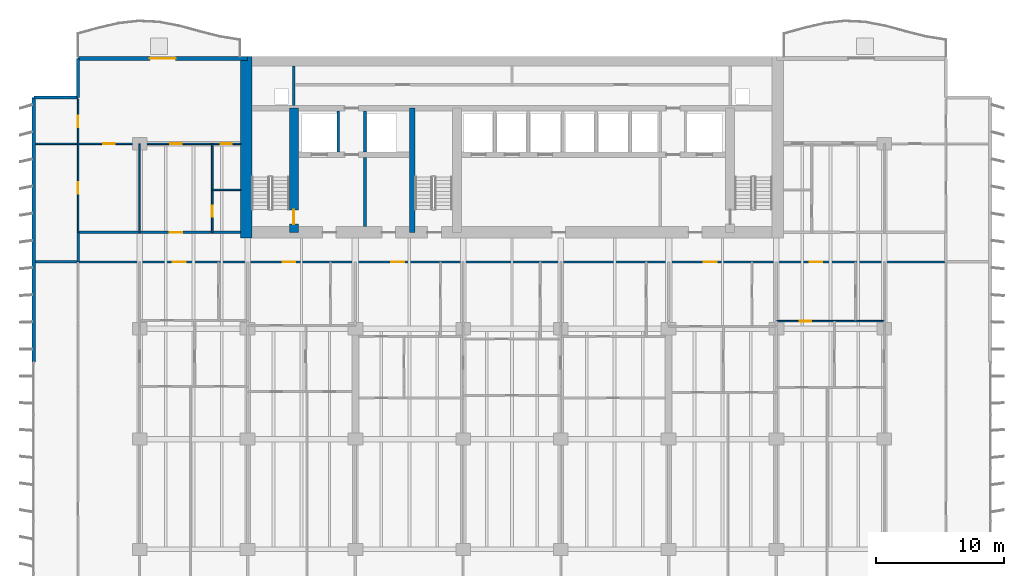
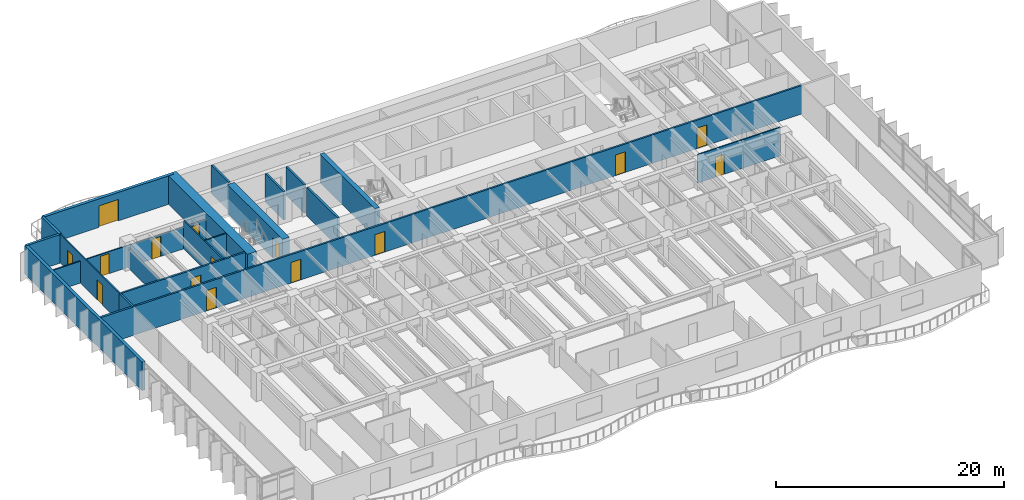
# One storey, part 10 of 17: 21 walls, 15 doors, 15 openings.
"""IFC4 building model written with IfcOpenShell, lengths in metres."""

import ifcopenshell
import ifcopenshell.guid

model = None  # the IFC model being written
_history = None  # IfcOwnerHistory: only IFC2X3 demands one
_inside = {}  # id of a spatial element -> (the spatial element, [elements in it])
_under = {}  # id of a project, library or spatial element -> (it, [spatial elements below it])
_declared = {}  # id of a project -> (the project, [libraries it declares])
_typed = {}  # id of a type object -> (the type object, [elements of that type])
_made_of = {}  # id of a material, layer set ... -> (it, [elements and type objects made of it])


def new_model(schema):
    """Start an empty IFC model of exactly this schema.

    Asked for "IFC4X3", IfcOpenShell would pick the latest addendum, in which some entities
    have other attributes; the version numbers below select the first issue.
    IFC2X3 requires an IfcOwnerHistory on every rooted entity: one is made here for all.
    """
    global model, _history
    if schema == "IFC4X3":
        model = ifcopenshell.file(schema_version=(4, 3, 0, 0))
    else:
        model = ifcopenshell.file(schema=schema)
    _inside.clear()
    _under.clear()
    _declared.clear()
    _typed.clear()
    _made_of.clear()
    _history = None
    if model.schema == "IFC2X3":
        org = make("IfcOrganization", Name="unknown")
        user = make(
            "IfcPersonAndOrganization",
            ThePerson=make("IfcPerson", FamilyName="unknown"),
            TheOrganization=org,
        )
        app = make(
            "IfcApplication",
            ApplicationDeveloper=org,
            Version="unknown",
            ApplicationFullName="unknown",
            ApplicationIdentifier="unknown",
        )
        _history = make(
            "IfcOwnerHistory",
            OwningUser=user,
            OwningApplication=app,
            ChangeAction="ADDED",
            CreationDate=0,
        )
    return model


def make(cls, **values):
    """One entity of the class cls with the attributes given. An attribute that is None is left unset."""
    return model.create_entity(
        cls, **{name: value for name, value in values.items() if value is not None}
    )


def rooted(cls, **values):
    """An entity with a GlobalId (a new one), such as an element, a storey or a relation."""
    return make(cls, GlobalId=ifcopenshell.guid.new(), OwnerHistory=_history, **values)


def si_unit(unit_type, name, prefix=None):
    """IfcSIUnit, for example si_unit("LENGTHUNIT", "METRE", prefix="MILLI")."""
    return make("IfcSIUnit", UnitType=unit_type, Prefix=prefix, Name=name)


def assignment(units):
    """IfcUnitAssignment: the units of a project."""
    return None if units is None else make("IfcUnitAssignment", Units=units)


def point(xyz):
    """IfcCartesianPoint."""
    return None if xyz is None else make("IfcCartesianPoint", Coordinates=xyz)


def direction(xyz):
    """IfcDirection."""
    return None if xyz is None else make("IfcDirection", DirectionRatios=xyz)


def frame(location, z_axis=None, x_axis=None):
    """IfcAxis2Placement3D, a coordinate frame: its origin and axes. An axis left out is left unset."""
    return make(
        "IfcAxis2Placement3D",
        Location=point(location),
        Axis=direction(z_axis),
        RefDirection=direction(x_axis),
    )


def frame_2d(location, x_axis=None):
    """IfcAxis2Placement2D, a coordinate frame in the plane: its origin and x axis."""
    return make(
        "IfcAxis2Placement2D", Location=point(location), RefDirection=direction(x_axis)
    )


def origin():
    """The frame at (0, 0, 0) with its axes left unset."""
    return frame((0.0, 0.0, 0.0))


def place(relative_to, where):
    """IfcLocalPlacement: puts the frame where relative to a parent placement (None: the world)."""
    return make(
        "IfcLocalPlacement", PlacementRelTo=relative_to, RelativePlacement=where
    )


def context(
    kind, dimensions, precision=None, world=None, true_north=None, identifier=None
):
    """IfcGeometricRepresentationContext, for example the 3D "Model" context."""
    return make(
        "IfcGeometricRepresentationContext",
        ContextIdentifier=identifier,
        ContextType=kind,
        CoordinateSpaceDimension=dimensions,
        Precision=precision,
        WorldCoordinateSystem=world,
        TrueNorth=true_north,
    )


def subcontext(parent, identifier, kind, view, scale=None):
    """IfcGeometricRepresentationSubContext, for example "Body" below "Model"."""
    return make(
        "IfcGeometricRepresentationSubContext",
        ContextIdentifier=identifier,
        ContextType=kind,
        ParentContext=parent,
        TargetScale=scale,
        TargetView=view,
    )


def project(units=None, contexts=None):
    """IfcProject with its units and contexts."""
    return rooted(
        "IfcProject",
        Name="project",
        RepresentationContexts=contexts,
        UnitsInContext=assignment(units),
    )


def spatial(cls, under=None, at=None, **own):
    """A site, building, storey or space (cls), placed at a placement, below another one or the project."""
    s = rooted(cls, ObjectPlacement=at, **own)
    if under is not None:
        _under.setdefault(under.id(), (under, []))[1].append(s)
    return s


def profile(cls, at=None, kind="AREA", **sizes):
    """A parametric profile (cls). Its sizes go by their IFC names, for example OverallWidth=200.0."""
    return make(cls, ProfileType=kind, Position=at, **sizes)


def rectangle(**sizes):
    """IfcRectangleProfileDef."""
    return profile("IfcRectangleProfileDef", **sizes)


def extrude(swept, where, along, depth):
    """IfcExtrudedAreaSolid: the profile swept, set in the frame where, extruded along a direction by depth."""
    return make(
        "IfcExtrudedAreaSolid",
        SweptArea=swept,
        Position=where,
        ExtrudedDirection=direction(along),
        Depth=depth,
    )


def shape(context_of_items, identifier, shape_type, items):
    """IfcShapeRepresentation: the items that make up one representation, for example the "Body"."""
    return make(
        "IfcShapeRepresentation",
        ContextOfItems=context_of_items,
        RepresentationIdentifier=identifier,
        RepresentationType=shape_type,
        Items=items,
    )


def material(Name=None, Category=None):
    """IfcMaterial."""
    return make("IfcMaterial", Name=Name, Category=Category)


def layer(
    of_material, thickness, ventilated=None, Name=None, Category=None, Priority=None
):
    """IfcMaterialLayer: one layer of a wall or slab, of a material (None: an air gap)."""
    return make(
        "IfcMaterialLayer",
        Material=of_material,
        LayerThickness=thickness,
        IsVentilated=ventilated,
        Name=Name,
        Category=Category,
        Priority=Priority,
    )


def layer_set(layers, Name=None):
    """IfcMaterialLayerSet."""
    return make("IfcMaterialLayerSet", MaterialLayers=layers, LayerSetName=Name)


def made_of(thing, what):
    """Note that an element or type object is made of a material, layer set ...; save() writes the relation."""
    if what is not None:
        _made_of.setdefault(what.id(), (what, []))[1].append(thing)
    return thing


def type_object(cls, material=None, **own):
    """A type object (cls), such as IfcWallType, which elements share."""
    return made_of(rooted(cls, **own), material)


def element(
    cls,
    number,
    at=None,
    inside=None,
    cuts=None,
    type_object=None,
    material=None,
    context=None,
    identifier="Body",
    shape_type=None,
    held_by="IfcProductDefinitionShape",
    body=None,
    shapes=None,
    **own,
):
    """One element of the class cls, such as IfcWall. Its Tag is "e" and its number.

    at: its placement. inside: the storey or other place that contains it. cuts: it is an
    opening in that element (IfcRelVoidsElement). A single representation is given by context,
    identifier, shape_type and body (its items); several are given by shapes. held_by: the class
    of the entity that holds the representations. save() writes the other relations.
    """
    e = rooted(cls, Tag="e%d" % number, ObjectPlacement=at, **own)
    if body is not None:
        shapes = [shape(context, identifier, shape_type, body)]
    if shapes is not None:
        e.Representation = make(held_by, Representations=shapes)
    if inside is not None:
        _inside.setdefault(inside.id(), (inside, []))[1].append(e)
    if cuts is not None:
        rooted(
            "IfcRelVoidsElement", RelatingBuildingElement=cuts, RelatedOpeningElement=e
        )
    if type_object is not None:
        _typed.setdefault(type_object.id(), (type_object, []))[1].append(e)
    return made_of(e, material)


def fill(opening, filler):
    """IfcRelFillsElement: the door or window that sits in an opening."""
    return rooted(
        "IfcRelFillsElement",
        RelatingOpeningElement=opening,
        RelatedBuildingElement=filler,
    )


def aggregate(whole, parts):
    """IfcRelAggregates: a whole, such as a stair, and the parts it consists of."""
    return rooted("IfcRelAggregates", RelatingObject=whole, RelatedObjects=parts)


def save(model, path):
    """Write the relations noted so far, then the file.

    IfcRelAggregates (storeys below a building ...), IfcRelContainedInSpatialStructure (elements
    in a storey), IfcRelDefinesByType, IfcRelAssociatesMaterial and IfcRelDeclares: one each for
    every whole, place, type object, material and project.
    """
    for whole, parts in _under.values():
        aggregate(whole, parts)
    for where, things in _inside.values():
        rooted(
            "IfcRelContainedInSpatialStructure",
            RelatedElements=things,
            RelatingStructure=where,
        )
    for kind, things in _typed.values():
        rooted("IfcRelDefinesByType", RelatedObjects=things, RelatingType=kind)
    for what, things in _made_of.values():
        rooted("IfcRelAssociatesMaterial", RelatedObjects=things, RelatingMaterial=what)
    for by, libraries in _declared.values():
        rooted("IfcRelDeclares", RelatingContext=by, RelatedDefinitions=libraries)
    model.write(path)


model = new_model("IFC4")

# Units and contexts
model_context = context("Model", 3, precision=1e-05, world=origin(), true_north=direction((0.0, 1.0)))
body_context = subcontext(model_context, "Body", "Model", "MODEL_VIEW")
ifc_project = project(units=[si_unit("LENGTHUNIT", "METRE"), si_unit("AREAUNIT", "SQUARE_METRE"), si_unit("VOLUMEUNIT", "CUBIC_METRE"), si_unit("PLANEANGLEUNIT", "RADIAN"), si_unit("MASSUNIT", "GRAM", prefix="KILO")], contexts=[model_context])

# Site, building, storey
site_placement = place(None, origin())
site = spatial("IfcSite", under=ifc_project, at=site_placement, CompositionType="ELEMENT")
building_placement = place(site_placement, origin())
building = spatial("IfcBuilding", under=site, at=building_placement, Name="Caelmar Bay Residences", CompositionType="ELEMENT")
storey_placement = place(building_placement, frame((0.0, 0.0, 53.10009765625)))
storey = spatial("IfcBuildingStorey", under=building, at=storey_placement, Name="L13", CompositionType="ELEMENT", Elevation=53.10009765625)

# Wall, opening, door
ifc_material_1 = material(Name="Concrete f'c 55 MPa (8,000 psi)", Category="concrete")
ifc_layer_1 = layer(ifc_material_1, 0.699951171875)
ifc_layer_set_1 = layer_set([ifc_layer_1], Name="Concrete f'c 55 MPa (8,000 psi)")
wall_type_1 = type_object("IfcWallType", Name="SW-COR-700", PredefinedType="SHEAR", material=ifc_layer_set_1)
wall_1_placement = place(storey_placement, frame((21.89990234375, 36.89990234375, 0.0), z_axis=(0.0, 0.0, 1.0), x_axis=(0.0, 1.0, 0.0)))
wall_1 = element("IfcWall", 1, at=wall_1_placement, inside=storey, type_object=wall_type_1, Name="L13 Core Structural Web Wall ST1E", PredefinedType="SHEAR", context=body_context, shape_type="SweptSolid", body=[
    extrude(rectangle(XDim=9.675048828125, YDim=0.699951171875, at=frame_2d((4.83740234375, 0.0))), origin(), (0.0, 0.0, 1.0), 3.0498046875),
])
opening_1_placement = place(wall_1_placement, frame((0.64990234375, 0.0, 0.0)))
opening_1 = element("IfcOpeningElement", 2, at=opening_1_placement, cuts=wall_1, Name="Opening D-L13-108", PredefinedType="OPENING", context=body_context, shape_type="SweptSolid", body=[
    extrude(rectangle(XDim=1.10009765625, YDim=2.14990234375, at=frame_2d((0.550048828125, 1.074951171875))), frame((0.0, 0.35986328125, 0.0), z_axis=(0.0, -1.0, 0.0), x_axis=(1.0, 0.0, 0.0)), (0.0, 0.0, 1.0), 0.719970703125),
])
ifc_material_2 = material(Name="Fire-rated steel and walnut architectural door assembly", Category="steel")
ifc_layer_2 = layer(ifc_material_2, 0.050048828125)
ifc_layer_set_2 = layer_set([ifc_layer_2], Name="Fire-rated steel and walnut architectural door assembly")
door_type_1 = type_object("IfcDoorType", Name="D-STAIR-1100", OperationType="NOTDEFINED", PredefinedType="DOOR", material=ifc_layer_set_2)
door_1_placement = place(opening_1_placement, origin())
door_1 = element("IfcDoor", 3, at=door_1_placement, inside=storey, type_object=door_type_1, Name="L13 Firefighting Lobby West Door", OperationType="SINGLE_SWING_LEFT", OverallHeight=2.14990234375, OverallWidth=1.10009765625, PredefinedType="DOOR", context=body_context, shape_type="SweptSolid", body=[
    extrude(rectangle(XDim=1.10009765625, YDim=2.14990234375, at=frame_2d((0.550048828125, 1.074951171875))), frame((0.0, 0.02490234375, 0.0), z_axis=(0.0, -1.0, 0.0), x_axis=(1.0, 0.0, 0.0)), (0.0, 0.0, 1.0), 0.050048828125),
])
fill(opening_1, door_1)

# Walls
ifc_material_3 = material(Name="Concrete f'c 70 MPa (10,000 psi)", Category="concrete")
ifc_layer_3 = layer(ifc_material_3, 0.89990234375)
ifc_layer_set_3 = layer_set([ifc_layer_3], Name="Concrete f'c 70 MPa (10,000 psi)")
wall_type_2 = type_object("IfcWallType", Name="SW-COR-900", PredefinedType="SHEAR", material=ifc_layer_set_3)
wall_2_placement = place(storey_placement, frame((18.199951171875, 36.449951171875, 0.0), z_axis=(0.0, 0.0, 1.0), x_axis=(0.0, 1.0, 0.0)))
element("IfcWall", 4, at=wall_2_placement, inside=storey, type_object=wall_type_2, Name="L13 Rear Core West Shear Wall", PredefinedType="SHEAR", context=body_context, shape_type="SweptSolid", body=[
    extrude(rectangle(XDim=14.150146484375, YDim=0.89990234375, at=frame_2d((7.0751953125, 0.0))), origin(), (0.0, 0.0, 1.0), 3.0498046875),
])
ifc_layer_4 = layer(ifc_material_3, 0.449951171875)
ifc_layer_set_4 = layer_set([ifc_layer_4], Name="Concrete f'c 70 MPa (10,000 psi)")
wall_type_3 = type_object("IfcWallType", Name="SW-WEB-450", PredefinedType="SHEAR", material=ifc_layer_set_4)
wall_3_placement = place(storey_placement, frame((31.125, 36.89990234375, 0.0), z_axis=(0.0, 0.0, 1.0), x_axis=(0.0, 1.0, 0.0)))
element("IfcWall", 5, at=wall_3_placement, inside=storey, type_object=wall_type_3, Name="L13 Core Structural Web Wall ST3W", PredefinedType="SHEAR", context=body_context, shape_type="SweptSolid", body=[
    extrude(rectangle(XDim=9.675048828125, YDim=0.449951171875, at=frame_2d((4.83740234375, 0.0))), origin(), (0.0, 0.0, 1.0), 3.0498046875),
])
ifc_material_4 = material(Name="Double-stud acoustic fire-rated gypsum partition 180 mm")
ifc_layer_5 = layer(ifc_material_4, 0.179931640625)
ifc_layer_set_5 = layer_set([ifc_layer_5], Name="Double-stud acoustic fire-rated gypsum partition 180 mm")
wall_type_4 = type_object("IfcWallType", Name="W-COR-200", PredefinedType="PARTITIONING", material=ifc_layer_set_5)
wall_4_placement = place(storey_placement, frame((5.10009765625, 34.60498046875, 0.0), z_axis=(0.0, 0.0, 1.0), x_axis=(0.0, 1.0, 0.0)))
element("IfcWall", 6, at=wall_4_placement, inside=storey, type_object=wall_type_4, Name="L13 Partition Wall V006", PredefinedType="PARTITIONING", context=body_context, shape_type="SweptSolid", body=[
    extrude(rectangle(XDim=2.294921875, YDim=0.179931640625, at=frame_2d((1.1474609375, 0.0))), origin(), (0.0, 0.0, 1.0), 3.0498046875),
])

# Wall, openings, doors
wall_5_placement = place(storey_placement, frame((5.10498046875, 34.60009765625, 0.0), z_axis=(0.0, 0.0, 1.0), x_axis=(1.0, 0.0, 0.0)))
wall_5 = element("IfcWall", 7, at=wall_5_placement, inside=storey, type_object=wall_type_4, Name="L13 Partition Wall H133", PredefinedType="PARTITIONING", context=body_context, shape_type="SweptSolid", body=[
    extrude(rectangle(XDim=67.594970703125, YDim=0.179931640625, at=frame_2d((33.79736328125, 0.0))), origin(), (0.0, 0.0, 1.0), 3.0498046875),
])
opening_2_placement = place(wall_5_placement, frame((7.365478515625, 0.0, 0.0)))
opening_2 = element("IfcOpeningElement", 8, at=opening_2_placement, cuts=wall_5, Name="Opening D-L13-119", PredefinedType="OPENING", context=body_context, shape_type="SweptSolid", body=[
    extrude(rectangle(XDim=1.0, YDim=2.199951171875, at=frame_2d((0.5, 1.10009765625))), frame((0.0, 0.099853515625, 0.0), z_axis=(0.0, -1.0, 0.0), x_axis=(1.0, 0.0, 0.0)), (0.0, 0.0, 1.0), 0.199951171875),
])
opening_3_placement = place(wall_5_placement, frame((15.927490234375, 0.0, 0.0)))
opening_3 = element("IfcOpeningElement", 9, at=opening_3_placement, cuts=wall_5, Name="Opening D-L13-127", PredefinedType="OPENING", context=body_context, shape_type="SweptSolid", body=[
    extrude(rectangle(XDim=1.0, YDim=2.199951171875, at=frame_2d((0.5, 1.10009765625))), frame((0.0, 0.099853515625, 0.0), z_axis=(0.0, -1.0, 0.0), x_axis=(1.0, 0.0, 0.0)), (0.0, 0.0, 1.0), 0.199951171875),
])
opening_4_placement = place(wall_5_placement, frame((24.406982421875, 0.0, 0.0)))
opening_4 = element("IfcOpeningElement", 10, at=opening_4_placement, cuts=wall_5, Name="Opening D-L13-134", PredefinedType="OPENING", context=body_context, shape_type="SweptSolid", body=[
    extrude(rectangle(XDim=1.0, YDim=2.199951171875, at=frame_2d((0.5, 1.10009765625))), frame((0.0, 0.099853515625, 0.0), z_axis=(0.0, -1.0, 0.0), x_axis=(1.0, 0.0, 0.0)), (0.0, 0.0, 1.0), 0.199951171875),
])
opening_5_placement = place(wall_5_placement, frame((48.739013671875, 0.0, 0.0)))
opening_5 = element("IfcOpeningElement", 11, at=opening_5_placement, cuts=wall_5, Name="Opening D-L13-149", PredefinedType="OPENING", context=body_context, shape_type="SweptSolid", body=[
    extrude(rectangle(XDim=1.0, YDim=2.199951171875, at=frame_2d((0.5, 1.10009765625))), frame((0.0, 0.099853515625, 0.0), z_axis=(0.0, -1.0, 0.0), x_axis=(1.0, 0.0, 0.0)), (0.0, 0.0, 1.0), 0.199951171875),
])
opening_6_placement = place(wall_5_placement, frame((56.98046875, 0.0, 0.0)))
opening_6 = element("IfcOpeningElement", 12, at=opening_6_placement, cuts=wall_5, Name="Opening D-L13-156", PredefinedType="OPENING", context=body_context, shape_type="SweptSolid", body=[
    extrude(rectangle(XDim=1.0, YDim=2.199951171875, at=frame_2d((0.5, 1.10009765625))), frame((0.0, 0.099853515625, 0.0), z_axis=(0.0, -1.0, 0.0), x_axis=(1.0, 0.0, 0.0)), (0.0, 0.0, 1.0), 0.199951171875),
])
ifc_layer_6 = layer(ifc_material_2, 0.050048828125)
ifc_layer_set_6 = layer_set([ifc_layer_6], Name="Fire-rated steel and walnut architectural door assembly")
door_type_2 = type_object("IfcDoorType", Name="D-UNIT-1000", OperationType="NOTDEFINED", PredefinedType="DOOR", material=ifc_layer_set_6)
door_2_placement = place(opening_2_placement, origin())
door_2 = element("IfcDoor", 13, at=door_2_placement, inside=storey, type_object=door_type_2, Name="L13 Residence 01 Apartment Hall Door", OperationType="SINGLE_SWING_RIGHT", OverallHeight=2.199951171875, OverallWidth=1.0, PredefinedType="DOOR", context=body_context, shape_type="SweptSolid", body=[
    extrude(rectangle(XDim=1.0, YDim=2.199951171875, at=frame_2d((0.5, 1.10009765625))), frame((0.0, 0.02490234375, 0.0), z_axis=(0.0, -1.0, 0.0), x_axis=(1.0, 0.0, 0.0)), (0.0, 0.0, 1.0), 0.050048828125),
])
fill(opening_2, door_2)
door_3_placement = place(opening_3_placement, origin())
door_3 = element("IfcDoor", 14, at=door_3_placement, inside=storey, type_object=door_type_2, Name="L13 Residence 02 Apartment Hall Door", OperationType="SINGLE_SWING_RIGHT", OverallHeight=2.199951171875, OverallWidth=1.0, PredefinedType="DOOR", context=body_context, shape_type="SweptSolid", body=[
    extrude(rectangle(XDim=1.0, YDim=2.199951171875, at=frame_2d((0.5, 1.10009765625))), frame((0.0, 0.02490234375, 0.0), z_axis=(0.0, -1.0, 0.0), x_axis=(1.0, 0.0, 0.0)), (0.0, 0.0, 1.0), 0.050048828125),
])
fill(opening_3, door_3)
door_4_placement = place(opening_4_placement, origin())
door_4 = element("IfcDoor", 15, at=door_4_placement, inside=storey, type_object=door_type_2, Name="L13 Residence 03 Apartment Hall Door", OperationType="SINGLE_SWING_LEFT", OverallHeight=2.199951171875, OverallWidth=1.0, PredefinedType="DOOR", context=body_context, shape_type="SweptSolid", body=[
    extrude(rectangle(XDim=1.0, YDim=2.199951171875, at=frame_2d((0.5, 1.10009765625))), frame((0.0, 0.02490234375, 0.0), z_axis=(0.0, -1.0, 0.0), x_axis=(1.0, 0.0, 0.0)), (0.0, 0.0, 1.0), 0.050048828125),
])
fill(opening_4, door_4)
door_5_placement = place(opening_5_placement, origin())
door_5 = element("IfcDoor", 16, at=door_5_placement, inside=storey, type_object=door_type_2, Name="L13 Residence 04 Apartment Hall Door", OperationType="SINGLE_SWING_RIGHT", OverallHeight=2.199951171875, OverallWidth=1.0, PredefinedType="DOOR", context=body_context, shape_type="SweptSolid", body=[
    extrude(rectangle(XDim=1.0, YDim=2.199951171875, at=frame_2d((0.5, 1.10009765625))), frame((0.0, 0.02490234375, 0.0), z_axis=(0.0, -1.0, 0.0), x_axis=(1.0, 0.0, 0.0)), (0.0, 0.0, 1.0), 0.050048828125),
])
fill(opening_5, door_5)
door_6_placement = place(opening_6_placement, origin())
door_6 = element("IfcDoor", 17, at=door_6_placement, inside=storey, type_object=door_type_2, Name="L13 Residence 05 Apartment Hall Door", OperationType="SINGLE_SWING_LEFT", OverallHeight=2.199951171875, OverallWidth=1.0, PredefinedType="DOOR", context=body_context, shape_type="SweptSolid", body=[
    extrude(rectangle(XDim=1.0, YDim=2.199951171875, at=frame_2d((0.5, 1.10009765625))), frame((0.0, 0.02490234375, 0.0), z_axis=(0.0, -1.0, 0.0), x_axis=(1.0, 0.0, 0.0)), (0.0, 0.0, 1.0), 0.050048828125),
])
fill(opening_6, door_6)

# Wall, opening, door
wall_6_placement = place(storey_placement, frame((5.10009765625, 36.89990234375, 0.0), z_axis=(0.0, 0.0, 1.0), x_axis=(1.0, 0.0, 0.0)))
wall_6 = element("IfcWall", 18, at=wall_6_placement, inside=storey, type_object=wall_type_4, Name="L13 Partition Wall H135", PredefinedType="PARTITIONING", context=body_context, shape_type="SweptSolid", body=[
    extrude(rectangle(XDim=12.64501953125, YDim=0.179931640625, at=frame_2d((6.322509765625, 0.0))), origin(), (0.0, 0.0, 1.0), 3.0498046875),
])
opening_7_placement = place(wall_6_placement, frame((7.125, 0.0, 0.0)))
opening_7 = element("IfcOpeningElement", 19, at=opening_7_placement, cuts=wall_6, Name="Opening D-L13-167", PredefinedType="OPENING", context=body_context, shape_type="SweptSolid", body=[
    extrude(rectangle(XDim=1.0, YDim=2.199951171875, at=frame_2d((0.5, 1.10009765625))), frame((0.0, 0.099853515625, 0.0), z_axis=(0.0, -1.0, 0.0), x_axis=(1.0, 0.0, 0.0)), (0.0, 0.0, 1.0), 0.199951171875),
])
door_7_placement = place(opening_7_placement, origin())
door_7 = element("IfcDoor", 20, at=door_7_placement, inside=storey, type_object=door_type_2, Name="L13 Residence WA Kitchen Door", OperationType="SINGLE_SWING_RIGHT", OverallHeight=2.199951171875, OverallWidth=1.0, PredefinedType="DOOR", context=body_context, shape_type="SweptSolid", body=[
    extrude(rectangle(XDim=1.0, YDim=2.199951171875, at=frame_2d((0.5, 1.10009765625))), frame((0.0, 0.02490234375, 0.0), z_axis=(0.0, -1.0, 0.0), x_axis=(1.0, 0.0, 0.0)), (0.0, 0.0, 1.0), 0.050048828125),
])
fill(opening_7, door_7)

# Walls
ifc_material_5 = material(Name="Precast concrete f'c 40 MPa (6,000 psi)", Category="concrete")
ifc_layer_7 = layer(ifc_material_5, 0.25)
ifc_layer_set_7 = layer_set([ifc_layer_7], Name="Precast concrete f'c 40 MPa (6,000 psi)")
wall_type_5 = type_object("IfcWallType", Name="W-EXT-250", PredefinedType="ELEMENTEDWALL", material=ifc_layer_set_7)
wall_7_placement = place(storey_placement, frame((1.64990234375, 47.39990234375, 0.0), z_axis=(0.0, 0.0, 1.0), x_axis=(1.0, 0.0, 0.0)))
element("IfcWall", 21, at=wall_7_placement, inside=storey, type_object=wall_type_5, Name="L13 NNW-H Notch Wall", PredefinedType="ELEMENTEDWALL", context=body_context, shape_type="SweptSolid", body=[
    extrude(rectangle(XDim=3.4501953125, YDim=0.25, at=frame_2d((1.72509765625, 0.0))), origin(), (0.0, 0.0, 1.0), 3.0498046875),
])
wall_8_placement = place(storey_placement, frame((5.10009765625, 47.39990234375, 0.0), z_axis=(0.0, 0.0, 1.0), x_axis=(0.0, 1.0, 0.0)))
element("IfcWall", 22, at=wall_8_placement, inside=storey, type_object=wall_type_5, Name="L13 NNW-V Notch Wall", PredefinedType="ELEMENTEDWALL", context=body_context, shape_type="SweptSolid", body=[
    extrude(rectangle(XDim=3.050048828125, YDim=0.25, at=frame_2d((1.52490234375, 0.0))), origin(), (0.0, 0.0, 1.0), 3.0498046875),
])
ifc_layer_8 = layer(ifc_material_5, 0.300048828125)
ifc_layer_set_8 = layer_set([ifc_layer_8], Name="Precast concrete f'c 40 MPa (6,000 psi)")
wall_type_6 = type_object("IfcWallType", Name="W-EXT-300", PredefinedType="STANDARD", material=ifc_layer_set_8)
wall_9_placement = place(storey_placement, frame((1.64990234375, 26.800048828125, 0.0), z_axis=(0.0, 0.0, 1.0), x_axis=(0.0, 1.0, 0.0)))
element("IfcWall", 23, at=wall_9_placement, inside=storey, type_object=wall_type_6, Name="L13 West Rear Exterior Wall", PredefinedType="STANDARD", context=body_context, shape_type="SweptSolid", body=[
    extrude(rectangle(XDim=20.599853515625, YDim=0.300048828125, at=frame_2d((10.2998046875, 0.0))), origin(), (0.0, 0.0, 1.0), 3.0498046875),
])

# Wall, opening, door
wall_10_placement = place(storey_placement, frame((5.10009765625, 50.449951171875, 0.0), z_axis=(0.0, 0.0, 1.0), x_axis=(1.0, 0.0, 0.0)))
wall_10 = element("IfcWall", 24, at=wall_10_placement, inside=storey, type_object=wall_type_6, Name="L13 North-West Wing Exterior Wall", PredefinedType="STANDARD", context=body_context, shape_type="SweptSolid", body=[
    extrude(rectangle(XDim=13.199951171875, YDim=0.300048828125, at=frame_2d((6.60009765625, 0.0))), origin(), (0.0, 0.0, 1.0), 3.0498046875),
])
opening_8_placement = place(wall_10_placement, frame((5.60009765625, 0.0, 0.0)))
opening_8 = element("IfcOpeningElement", 25, at=opening_8_placement, cuts=wall_10, Name="Opening L13-BDNW", PredefinedType="OPENING", context=body_context, shape_type="SweptSolid", body=[
    extrude(rectangle(XDim=2.0, YDim=2.300048828125, at=frame_2d((1.0, 1.14990234375))), frame((0.0, 0.159912109375, 0.0), z_axis=(0.0, -1.0, 0.0), x_axis=(1.0, 0.0, 0.0)), (0.0, 0.0, 1.0), 0.320068359375),
])
ifc_material_6 = material(Name="Anodised bronze thermally broken sliding glass door", Category="glass")
ifc_layer_9 = layer(ifc_material_6, 0.050048828125)
ifc_layer_set_9 = layer_set([ifc_layer_9], Name="Anodised bronze thermally broken sliding glass door")
door_type_3 = type_object("IfcDoorType", Name="D-BAL-2000", OperationType="DOUBLE_DOOR_SLIDING", PredefinedType="DOOR", material=ifc_layer_set_9)
door_8_placement = place(opening_8_placement, origin())
door_8 = element("IfcDoor", 26, at=door_8_placement, inside=storey, type_object=door_type_3, Name="L13 North-West Balcony Door", OperationType="DOUBLE_DOOR_SLIDING", OverallHeight=2.300048828125, OverallWidth=2.0, PredefinedType="DOOR", context=body_context, shape_type="SweptSolid", body=[
    extrude(rectangle(XDim=2.0, YDim=2.300048828125, at=frame_2d((1.0, 1.14990234375))), frame((0.0, 0.02490234375, 0.0), z_axis=(0.0, -1.0, 0.0), x_axis=(1.0, 0.0, 0.0)), (0.0, 0.0, 1.0), 0.050048828125),
])
fill(opening_8, door_8)

# Walls
ifc_material_7 = material(Name="Fire-rated masonry and gypsum shaftliner assembly 200 mm", Category="masonry")
ifc_layer_10 = layer(ifc_material_7, 0.199951171875)
ifc_layer_set_10 = layer_set([ifc_layer_10], Name="Fire-rated masonry and gypsum shaftliner assembly 200 mm")
wall_type_7 = type_object("IfcWallType", Name="W-FSAE-200", PredefinedType="PARTITIONING", material=ifc_layer_set_10)
wall_11_placement = place(storey_placement, frame((21.89990234375, 46.794921875, 0.0), z_axis=(0.0, 0.0, 1.0), x_axis=(0.0, 1.0, 0.0)))
element("IfcWall", 27, at=wall_11_placement, inside=storey, type_object=wall_type_7, Name="L13 Partition Wall V028", PredefinedType="PARTITIONING", context=body_context, shape_type="SweptSolid", body=[
    extrude(rectangle(XDim=3.06005859375, YDim=0.199951171875, at=frame_2d((1.530029296875, 0.0))), origin(), (0.0, 0.0, 1.0), 3.0498046875),
])
wall_12_placement = place(storey_placement, frame((25.35009765625, 43.169921875, 0.0), z_axis=(0.0, 0.0, 1.0), x_axis=(0.0, 1.0, 0.0)))
element("IfcWall", 28, at=wall_12_placement, inside=storey, type_object=wall_type_7, Name="L13 Partition Wall V035", PredefinedType="PARTITIONING", context=body_context, shape_type="SweptSolid", body=[
    extrude(rectangle(XDim=3.18505859375, YDim=0.199951171875, at=frame_2d((1.592529296875, 0.0))), origin(), (0.0, 0.0, 1.0), 3.0498046875),
])
wall_13_placement = place(storey_placement, frame((27.449951171875, 37.344970703125, 0.0), z_axis=(0.0, 0.0, 1.0), x_axis=(0.0, 1.0, 0.0)))
element("IfcWall", 29, at=wall_13_placement, inside=storey, type_object=wall_type_7, Name="L13 Partition Wall V040", PredefinedType="PARTITIONING", context=body_context, shape_type="SweptSolid", body=[
    extrude(rectangle(XDim=5.385009765625, YDim=0.199951171875, at=frame_2d((2.6923828125, 0.0))), origin(), (0.0, 0.0, 1.0), 3.0498046875),
])
wall_14_placement = place(storey_placement, frame((27.449951171875, 43.169921875, 0.0), z_axis=(0.0, 0.0, 1.0), x_axis=(0.0, 1.0, 0.0)))
element("IfcWall", 30, at=wall_14_placement, inside=storey, type_object=wall_type_7, Name="L13 Partition Wall V041", PredefinedType="PARTITIONING", context=body_context, shape_type="SweptSolid", body=[
    extrude(rectangle(XDim=3.18505859375, YDim=0.199951171875, at=frame_2d((1.592529296875, 0.0))), origin(), (0.0, 0.0, 1.0), 3.0498046875),
])

# Wall, openings, doors
ifc_material_8 = material(Name="Acoustic metal-stud gypsum partition 120 mm")
ifc_layer_11 = layer(ifc_material_8, 0.1201171875)
ifc_layer_set_11 = layer_set([ifc_layer_11], Name="Acoustic metal-stud gypsum partition 120 mm")
wall_type_8 = type_object("IfcWallType", Name="W-PRT-120", PredefinedType="PARTITIONING", material=ifc_layer_set_11)
wall_15_placement = place(storey_placement, frame((5.10009765625, 36.905029296875, 0.0), z_axis=(0.0, 0.0, 1.0), x_axis=(0.0, 1.0, 0.0)))
wall_15 = element("IfcWall", 31, at=wall_15_placement, inside=storey, type_object=wall_type_8, Name="L13 Partition Wall V007", PredefinedType="PARTITIONING", context=body_context, shape_type="SweptSolid", body=[
    extrude(rectangle(XDim=10.375, YDim=0.1201171875, at=frame_2d((5.1875, 0.0))), origin(), (0.0, 0.0, 1.0), 3.0498046875),
])
opening_9_placement = place(wall_15_placement, frame((2.99755859375, 0.0, 0.0)))
opening_9 = element("IfcOpeningElement", 32, at=opening_9_placement, cuts=wall_15, Name="Opening D-L13-171", PredefinedType="OPENING", context=body_context, shape_type="SweptSolid", body=[
    extrude(rectangle(XDim=0.89990234375, YDim=2.14990234375, at=frame_2d((0.449951171875, 1.074951171875))), frame((0.0, 0.070068359375, 0.0), z_axis=(0.0, -1.0, 0.0), x_axis=(1.0, 0.0, 0.0)), (0.0, 0.0, 1.0), 0.14013671875),
])
opening_10_placement = place(wall_15_placement, frame((8.18505859375, 0.0, 0.0)))
opening_10 = element("IfcOpeningElement", 33, at=opening_10_placement, cuts=wall_15, Name="Opening D-L13-172", PredefinedType="OPENING", context=body_context, shape_type="SweptSolid", body=[
    extrude(rectangle(XDim=0.89990234375, YDim=2.14990234375, at=frame_2d((0.449951171875, 1.074951171875))), frame((0.0, 0.070068359375, 0.0), z_axis=(0.0, -1.0, 0.0), x_axis=(1.0, 0.0, 0.0)), (0.0, 0.0, 1.0), 0.14013671875),
])
ifc_material_9 = material(Name="Solid walnut timber interior door leaf and frame", Category="wood")
ifc_layer_12 = layer(ifc_material_9, 0.050048828125)
ifc_layer_set_12 = layer_set([ifc_layer_12], Name="Solid walnut timber interior door leaf and frame")
door_type_4 = type_object("IfcDoorType", Name="D-ROOM-900", OperationType="NOTDEFINED", PredefinedType="DOOR", material=ifc_layer_set_12)
door_9_placement = place(opening_9_placement, origin())
door_9 = element("IfcDoor", 34, at=door_9_placement, inside=storey, type_object=door_type_4, Name="L13 Residence WA Sun Study Door", OperationType="SINGLE_SWING_RIGHT", OverallHeight=2.14990234375, OverallWidth=0.89990234375, PredefinedType="DOOR", context=body_context, shape_type="SweptSolid", body=[
    extrude(rectangle(XDim=0.89990234375, YDim=2.14990234375, at=frame_2d((0.449951171875, 1.074951171875))), frame((0.0, 0.02490234375, 0.0), z_axis=(0.0, -1.0, 0.0), x_axis=(1.0, 0.0, 0.0)), (0.0, 0.0, 1.0), 0.050048828125),
])
fill(opening_9, door_9)
door_10_placement = place(opening_10_placement, origin())
door_10 = element("IfcDoor", 35, at=door_10_placement, inside=storey, type_object=door_type_4, Name="L13 Residence WA North Sitting Alcove Door", OperationType="SINGLE_SWING_LEFT", OverallHeight=2.14990234375, OverallWidth=0.89990234375, PredefinedType="DOOR", context=body_context, shape_type="SweptSolid", body=[
    extrude(rectangle(XDim=0.89990234375, YDim=2.14990234375, at=frame_2d((0.449951171875, 1.074951171875))), frame((0.0, 0.02490234375, 0.0), z_axis=(0.0, -1.0, 0.0), x_axis=(1.0, 0.0, 0.0)), (0.0, 0.0, 1.0), 0.050048828125),
])
fill(opening_10, door_10)

# Wall
wall_16_placement = place(storey_placement, frame((9.89990234375, 36.89990234375, 0.0), z_axis=(0.0, 0.0, 1.0), x_axis=(0.0, 1.0, 0.0)))
element("IfcWall", 36, at=wall_16_placement, inside=storey, type_object=wall_type_8, Name="L13 Partition Wall V014", PredefinedType="PARTITIONING", context=body_context, shape_type="SweptSolid", body=[
    extrude(rectangle(XDim=6.900146484375, YDim=0.1201171875, at=frame_2d((3.4501953125, 0.0))), origin(), (0.0, 0.0, 1.0), 2.10986328125),
])

# Wall, opening, door
wall_17_placement = place(storey_placement, frame((15.550048828125, 36.89990234375, 0.0), z_axis=(0.0, 0.0, 1.0), x_axis=(0.0, 1.0, 0.0)))
wall_17 = element("IfcWall", 37, at=wall_17_placement, inside=storey, type_object=wall_type_8, Name="L13 Partition Wall V020", PredefinedType="PARTITIONING", context=body_context, shape_type="SweptSolid", body=[
    extrude(rectangle(XDim=6.900146484375, YDim=0.1201171875, at=frame_2d((3.4501953125, 0.0))), origin(), (0.0, 0.0, 1.0), 3.0498046875),
])
opening_11_placement = place(wall_17_placement, frame((1.23095703125, 0.0, 0.0)))
opening_11 = element("IfcOpeningElement", 38, at=opening_11_placement, cuts=wall_17, Name="Opening D-L13-169", PredefinedType="OPENING", context=body_context, shape_type="SweptSolid", body=[
    extrude(rectangle(XDim=0.85009765625, YDim=2.10009765625, at=frame_2d((0.425048828125, 1.050048828125))), frame((0.0, 0.070068359375, 0.0), z_axis=(0.0, -1.0, 0.0), x_axis=(1.0, 0.0, 0.0)), (0.0, 0.0, 1.0), 0.14013671875),
])
ifc_layer_13 = layer(ifc_material_9, 0.050048828125)
ifc_layer_set_13 = layer_set([ifc_layer_13], Name="Solid walnut timber interior door leaf and frame")
door_type_5 = type_object("IfcDoorType", Name="D-BATH-850", OperationType="NOTDEFINED", PredefinedType="DOOR", material=ifc_layer_set_13)
door_11_placement = place(opening_11_placement, origin())
door_11 = element("IfcDoor", 39, at=door_11_placement, inside=storey, type_object=door_type_5, Name="L13 Residence WA Walk-In Closet Door", OperationType="SINGLE_SWING_RIGHT", OverallHeight=2.10009765625, OverallWidth=0.85009765625, PredefinedType="DOOR", context=body_context, shape_type="SweptSolid", body=[
    extrude(rectangle(XDim=0.85009765625, YDim=2.10009765625, at=frame_2d((0.425048828125, 1.050048828125))), frame((0.0, 0.02490234375, 0.0), z_axis=(0.0, -1.0, 0.0), x_axis=(1.0, 0.0, 0.0)), (0.0, 0.0, 1.0), 0.050048828125),
])
fill(opening_11, door_11)

wall_18_placement = place(storey_placement, frame((59.5, 29.97998046875, 0.0), z_axis=(0.0, 0.0, 1.0), x_axis=(1.0, 0.0, 0.0)))
wall_18 = element("IfcWall", 40, at=wall_18_placement, inside=storey, type_object=wall_type_8, Name="L13 Partition Wall H130", PredefinedType="PARTITIONING", context=body_context, shape_type="SweptSolid", body=[
    extrude(rectangle(XDim=8.39990234375, YDim=0.1201171875, at=frame_2d((4.199951171875, 0.0))), origin(), (0.0, 0.0, 1.0), 3.0498046875),
])
opening_12_placement = place(wall_18_placement, frame((1.818115234375, 0.0, 0.0)))
opening_12 = element("IfcOpeningElement", 41, at=opening_12_placement, cuts=wall_18, Name="Opening D-L13-158", PredefinedType="OPENING", context=body_context, shape_type="SweptSolid", body=[
    extrude(rectangle(XDim=0.89990234375, YDim=2.14990234375, at=frame_2d((0.449951171875, 1.074951171875))), frame((0.0, 0.070068359375, 0.0), z_axis=(0.0, -1.0, 0.0), x_axis=(1.0, 0.0, 0.0)), (0.0, 0.0, 1.0), 0.14013671875),
])
door_12_placement = place(opening_12_placement, origin())
door_12 = element("IfcDoor", 42, at=door_12_placement, inside=storey, type_object=door_type_4, Name="L13 Residence 05 Kitchen Door", OperationType="SINGLE_SWING_LEFT", OverallHeight=2.14990234375, OverallWidth=0.89990234375, PredefinedType="DOOR", context=body_context, shape_type="SweptSolid", body=[
    extrude(rectangle(XDim=0.89990234375, YDim=2.14990234375, at=frame_2d((0.449951171875, 1.074951171875))), frame((0.0, 0.02490234375, 0.0), z_axis=(0.0, -1.0, 0.0), x_axis=(1.0, 0.0, 0.0)), (0.0, 0.0, 1.0), 0.050048828125),
])
fill(opening_12, door_12)

# Wall
wall_19_placement = place(storey_placement, frame((15.550048828125, 40.2119140625, 0.0), z_axis=(0.0, 0.0, 1.0), x_axis=(1.0, 0.0, 0.0)))
element("IfcWall", 43, at=wall_19_placement, inside=storey, type_object=wall_type_8, Name="L13 Partition Wall H137", PredefinedType="PARTITIONING", context=body_context, shape_type="SweptSolid", body=[
    extrude(rectangle(XDim=2.204833984375, YDim=0.1201171875, at=frame_2d((1.1025390625, 0.0))), origin(), (0.0, 0.0, 1.0), 3.0498046875),
])

# Wall, openings, doors
wall_20_placement = place(storey_placement, frame((1.794921875, 43.800048828125, 0.0), z_axis=(0.0, 0.0, 1.0), x_axis=(1.0, 0.0, 0.0)))
wall_20 = element("IfcWall", 44, at=wall_20_placement, inside=storey, type_object=wall_type_8, Name="L13 Partition Wall H139", PredefinedType="PARTITIONING", context=body_context, shape_type="SweptSolid", body=[
    extrude(rectangle(XDim=15.9599609375, YDim=0.1201171875, at=frame_2d((7.97998046875, 0.0))), origin(), (0.0, 0.0, 1.0), 2.3388671875),
])
opening_13_placement = place(wall_20_placement, frame((5.2548828125, 0.0, 0.0)))
opening_13 = element("IfcOpeningElement", 45, at=opening_13_placement, cuts=wall_20, Name="Opening D-L13-166", PredefinedType="OPENING", context=body_context, shape_type="SweptSolid", body=[
    extrude(rectangle(XDim=0.89990234375, YDim=2.14990234375, at=frame_2d((0.449951171875, 1.074951171875))), frame((0.0, 0.070068359375, 0.0), z_axis=(0.0, -1.0, 0.0), x_axis=(1.0, 0.0, 0.0)), (0.0, 0.0, 1.0), 0.14013671875),
])
opening_14_placement = place(wall_20_placement, frame((10.47998046875, 0.0, 0.0)))
opening_14 = element("IfcOpeningElement", 46, at=opening_14_placement, cuts=wall_20, Name="Opening D-L13-168", PredefinedType="OPENING", context=body_context, shape_type="SweptSolid", body=[
    extrude(rectangle(XDim=0.89990234375, YDim=2.14990234375, at=frame_2d((0.449951171875, 1.074951171875))), frame((0.0, 0.070068359375, 0.0), z_axis=(0.0, -1.0, 0.0), x_axis=(1.0, 0.0, 0.0)), (0.0, 0.0, 1.0), 0.14013671875),
])
opening_15_placement = place(wall_20_placement, frame((14.4326171875, 0.0, 0.0)))
opening_15 = element("IfcOpeningElement", 47, at=opening_15_placement, cuts=wall_20, Name="Opening D-L13-170", PredefinedType="OPENING", context=body_context, shape_type="SweptSolid", body=[
    extrude(rectangle(XDim=0.85009765625, YDim=2.10009765625, at=frame_2d((0.425048828125, 1.050048828125))), frame((0.0, 0.070068359375, 0.0), z_axis=(0.0, -1.0, 0.0), x_axis=(1.0, 0.0, 0.0)), (0.0, 0.0, 1.0), 0.14013671875),
])
door_13_placement = place(opening_15_placement, origin())
door_13 = element("IfcDoor", 48, at=door_13_placement, inside=storey, type_object=door_type_5, Name="L13 Residence WA Bathroom Door", OperationType="SINGLE_SWING_LEFT", OverallHeight=2.10009765625, OverallWidth=0.85009765625, PredefinedType="DOOR", context=body_context, shape_type="SweptSolid", body=[
    extrude(rectangle(XDim=0.85009765625, YDim=2.10009765625, at=frame_2d((0.425048828125, 1.050048828125))), frame((0.0, 0.02490234375, 0.0), z_axis=(0.0, -1.0, 0.0), x_axis=(1.0, 0.0, 0.0)), (0.0, 0.0, 1.0), 0.050048828125),
])
fill(opening_15, door_13)
door_14_placement = place(opening_13_placement, origin())
door_14 = element("IfcDoor", 49, at=door_14_placement, inside=storey, type_object=door_type_4, Name="L13 Residence WA Study Door", OperationType="SINGLE_SWING_LEFT", OverallHeight=2.14990234375, OverallWidth=0.89990234375, PredefinedType="DOOR", context=body_context, shape_type="SweptSolid", body=[
    extrude(rectangle(XDim=0.89990234375, YDim=2.14990234375, at=frame_2d((0.449951171875, 1.074951171875))), frame((0.0, 0.02490234375, 0.0), z_axis=(0.0, -1.0, 0.0), x_axis=(1.0, 0.0, 0.0)), (0.0, 0.0, 1.0), 0.050048828125),
])
fill(opening_13, door_14)
door_15_placement = place(opening_14_placement, origin())
door_15 = element("IfcDoor", 50, at=door_15_placement, inside=storey, type_object=door_type_4, Name="L13 Residence WA Studio Living and Sleeping Room Door", OperationType="SINGLE_SWING_LEFT", OverallHeight=2.14990234375, OverallWidth=0.89990234375, PredefinedType="DOOR", context=body_context, shape_type="SweptSolid", body=[
    extrude(rectangle(XDim=0.89990234375, YDim=2.14990234375, at=frame_2d((0.449951171875, 1.074951171875))), frame((0.0, 0.02490234375, 0.0), z_axis=(0.0, -1.0, 0.0), x_axis=(1.0, 0.0, 0.0)), (0.0, 0.0, 1.0), 0.050048828125),
])
fill(opening_14, door_15)

# Wall
ifc_material_10 = material(Name="Acoustic twin-stud fire-rated inter-tenancy partition 200 mm")
ifc_layer_14 = layer(ifc_material_10, 0.199951171875)
ifc_layer_set_14 = layer_set([ifc_layer_14], Name="Acoustic twin-stud fire-rated inter-tenancy partition 200 mm")
wall_type_9 = type_object("IfcWallType", Name="W-PTY-200", PredefinedType="PARTITIONING", material=ifc_layer_set_14)
wall_21_placement = place(storey_placement, frame((1.794921875, 34.60009765625, 0.0), z_axis=(0.0, 0.0, 1.0), x_axis=(1.0, 0.0, 0.0)))
element("IfcWall", 51, at=wall_21_placement, inside=storey, type_object=wall_type_9, Name="L13 Partition Wall H132", PredefinedType="PARTITIONING", context=body_context, shape_type="SweptSolid", body=[
    extrude(rectangle(XDim=3.30517578125, YDim=0.199951171875, at=frame_2d((1.652587890625, 0.0))), origin(), (0.0, 0.0, 1.0), 3.0498046875),
])

save(model, "model.ifc")
